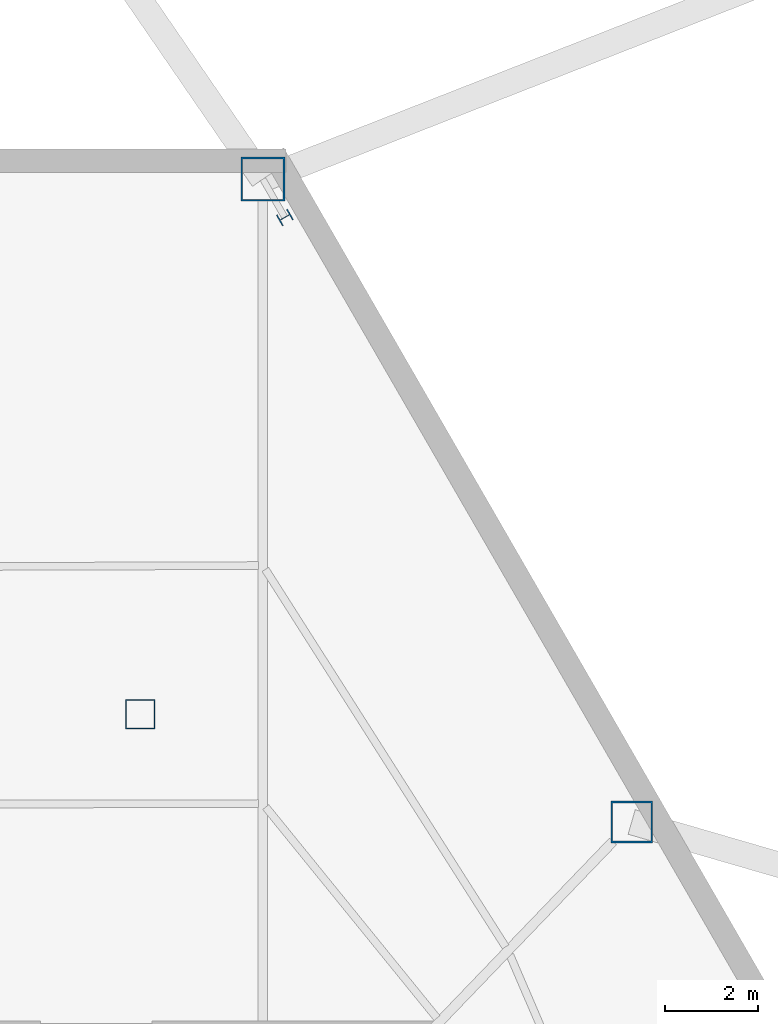
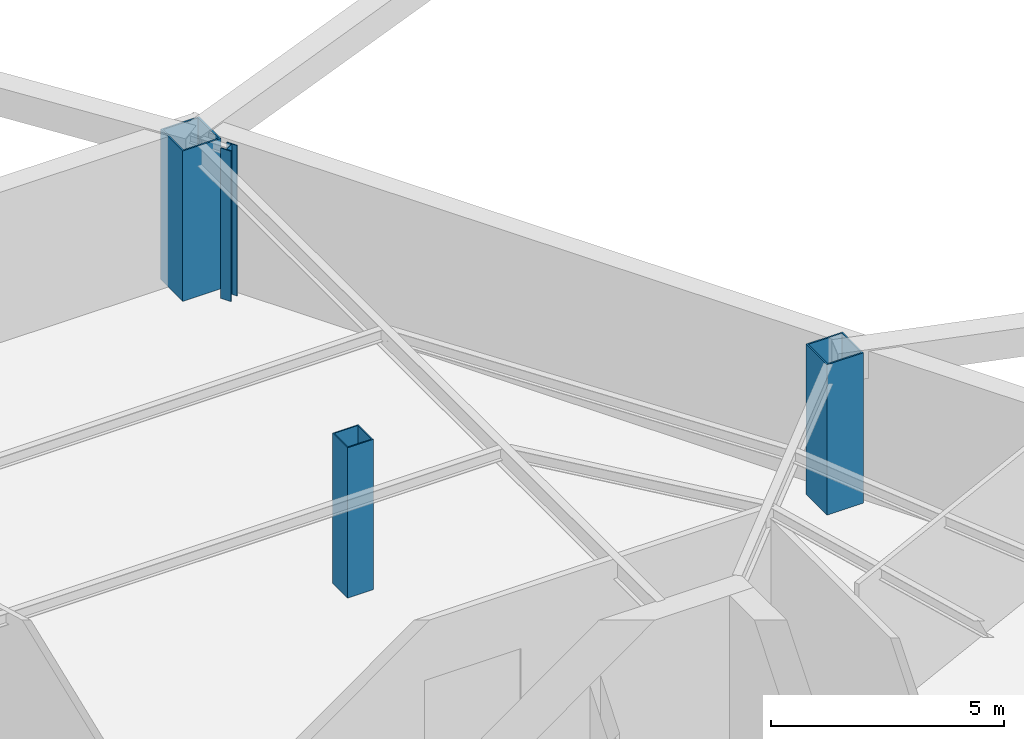
# One storey, part 4 of 8: 4 columns.
"""IFC4 building model written with IfcOpenShell, lengths in metres."""

import ifcopenshell
import ifcopenshell.guid

model = None  # the IFC model being written
_history = None  # IfcOwnerHistory: only IFC2X3 demands one
_inside = {}  # id of a spatial element -> (the spatial element, [elements in it])
_under = {}  # id of a project, library or spatial element -> (it, [spatial elements below it])
_declared = {}  # id of a project -> (the project, [libraries it declares])
_typed = {}  # id of a type object -> (the type object, [elements of that type])
_made_of = {}  # id of a material, layer set ... -> (it, [elements and type objects made of it])


def new_model(schema):
    """Start an empty IFC model of exactly this schema.

    Asked for "IFC4X3", IfcOpenShell would pick the latest addendum, in which some entities
    have other attributes; the version numbers below select the first issue.
    IFC2X3 requires an IfcOwnerHistory on every rooted entity: one is made here for all.
    """
    global model, _history
    if schema == "IFC4X3":
        model = ifcopenshell.file(schema_version=(4, 3, 0, 0))
    else:
        model = ifcopenshell.file(schema=schema)
    _inside.clear()
    _under.clear()
    _declared.clear()
    _typed.clear()
    _made_of.clear()
    _history = None
    if model.schema == "IFC2X3":
        org = make("IfcOrganization", Name="unknown")
        user = make(
            "IfcPersonAndOrganization",
            ThePerson=make("IfcPerson", FamilyName="unknown"),
            TheOrganization=org,
        )
        app = make(
            "IfcApplication",
            ApplicationDeveloper=org,
            Version="unknown",
            ApplicationFullName="unknown",
            ApplicationIdentifier="unknown",
        )
        _history = make(
            "IfcOwnerHistory",
            OwningUser=user,
            OwningApplication=app,
            ChangeAction="ADDED",
            CreationDate=0,
        )
    return model


def make(cls, **values):
    """One entity of the class cls with the attributes given. An attribute that is None is left unset."""
    return model.create_entity(
        cls, **{name: value for name, value in values.items() if value is not None}
    )


def rooted(cls, **values):
    """An entity with a GlobalId (a new one), such as an element, a storey or a relation."""
    return make(cls, GlobalId=ifcopenshell.guid.new(), OwnerHistory=_history, **values)


def si_unit(unit_type, name, prefix=None):
    """IfcSIUnit, for example si_unit("LENGTHUNIT", "METRE", prefix="MILLI")."""
    return make("IfcSIUnit", UnitType=unit_type, Prefix=prefix, Name=name)


def assignment(units):
    """IfcUnitAssignment: the units of a project."""
    return None if units is None else make("IfcUnitAssignment", Units=units)


def point(xyz):
    """IfcCartesianPoint."""
    return None if xyz is None else make("IfcCartesianPoint", Coordinates=xyz)


def direction(xyz):
    """IfcDirection."""
    return None if xyz is None else make("IfcDirection", DirectionRatios=xyz)


def frame(location, z_axis=None, x_axis=None):
    """IfcAxis2Placement3D, a coordinate frame: its origin and axes. An axis left out is left unset."""
    return make(
        "IfcAxis2Placement3D",
        Location=point(location),
        Axis=direction(z_axis),
        RefDirection=direction(x_axis),
    )


def frame_2d(location, x_axis=None):
    """IfcAxis2Placement2D, a coordinate frame in the plane: its origin and x axis."""
    return make(
        "IfcAxis2Placement2D", Location=point(location), RefDirection=direction(x_axis)
    )


def origin():
    """The frame at (0, 0, 0) with its axes left unset."""
    return frame((0.0, 0.0, 0.0))


def origin_2d():
    """The frame at (0, 0) in the plane with its x axis left unset."""
    return frame_2d((0.0, 0.0))


def place(relative_to, where):
    """IfcLocalPlacement: puts the frame where relative to a parent placement (None: the world)."""
    return make(
        "IfcLocalPlacement", PlacementRelTo=relative_to, RelativePlacement=where
    )


def context(
    kind, dimensions, precision=None, world=None, true_north=None, identifier=None
):
    """IfcGeometricRepresentationContext, for example the 3D "Model" context."""
    return make(
        "IfcGeometricRepresentationContext",
        ContextIdentifier=identifier,
        ContextType=kind,
        CoordinateSpaceDimension=dimensions,
        Precision=precision,
        WorldCoordinateSystem=world,
        TrueNorth=true_north,
    )


def subcontext(parent, identifier, kind, view, scale=None):
    """IfcGeometricRepresentationSubContext, for example "Body" below "Model"."""
    return make(
        "IfcGeometricRepresentationSubContext",
        ContextIdentifier=identifier,
        ContextType=kind,
        ParentContext=parent,
        TargetScale=scale,
        TargetView=view,
    )


def project(units=None, contexts=None):
    """IfcProject with its units and contexts."""
    return rooted(
        "IfcProject",
        Name="project",
        RepresentationContexts=contexts,
        UnitsInContext=assignment(units),
    )


def spatial(cls, under=None, at=None, **own):
    """A site, building, storey or space (cls), placed at a placement, below another one or the project."""
    s = rooted(cls, ObjectPlacement=at, **own)
    if under is not None:
        _under.setdefault(under.id(), (under, []))[1].append(s)
    return s


def profile(cls, at=None, kind="AREA", **sizes):
    """A parametric profile (cls). Its sizes go by their IFC names, for example OverallWidth=200.0."""
    return make(cls, ProfileType=kind, Position=at, **sizes)


def hollow_rectangle(**sizes):
    """IfcRectangleHollowProfileDef."""
    return profile("IfcRectangleHollowProfileDef", **sizes)


def i_section(**sizes):
    """IfcIShapeProfileDef."""
    return profile("IfcIShapeProfileDef", **sizes)


def extrude(swept, where, along, depth):
    """IfcExtrudedAreaSolid: the profile swept, set in the frame where, extruded along a direction by depth."""
    return make(
        "IfcExtrudedAreaSolid",
        SweptArea=swept,
        Position=where,
        ExtrudedDirection=direction(along),
        Depth=depth,
    )


def shape(context_of_items, identifier, shape_type, items):
    """IfcShapeRepresentation: the items that make up one representation, for example the "Body"."""
    return make(
        "IfcShapeRepresentation",
        ContextOfItems=context_of_items,
        RepresentationIdentifier=identifier,
        RepresentationType=shape_type,
        Items=items,
    )


def material(Name=None, Category=None):
    """IfcMaterial."""
    return make("IfcMaterial", Name=Name, Category=Category)


def material_profile(
    of_material, cross_section, Name=None, Category=None, Priority=None
):
    """IfcMaterialProfile: a cross section and its material."""
    return make(
        "IfcMaterialProfile",
        Name=Name,
        Material=of_material,
        Profile=cross_section,
        Priority=Priority,
        Category=Category,
    )


def profile_set(profiles, Name=None, composite=None):
    """IfcMaterialProfileSet."""
    return make(
        "IfcMaterialProfileSet",
        Name=Name,
        MaterialProfiles=profiles,
        CompositeProfile=composite,
    )


def made_of(thing, what):
    """Note that an element or type object is made of a material, layer set ...; save() writes the relation."""
    if what is not None:
        _made_of.setdefault(what.id(), (what, []))[1].append(thing)
    return thing


def type_object(cls, material=None, **own):
    """A type object (cls), such as IfcWallType, which elements share."""
    return made_of(rooted(cls, **own), material)


def element(
    cls,
    number,
    at=None,
    inside=None,
    cuts=None,
    type_object=None,
    material=None,
    context=None,
    identifier="Body",
    shape_type=None,
    held_by="IfcProductDefinitionShape",
    body=None,
    shapes=None,
    **own,
):
    """One element of the class cls, such as IfcWall. Its Tag is "e" and its number.

    at: its placement. inside: the storey or other place that contains it. cuts: it is an
    opening in that element (IfcRelVoidsElement). A single representation is given by context,
    identifier, shape_type and body (its items); several are given by shapes. held_by: the class
    of the entity that holds the representations. save() writes the other relations.
    """
    e = rooted(cls, Tag="e%d" % number, ObjectPlacement=at, **own)
    if body is not None:
        shapes = [shape(context, identifier, shape_type, body)]
    if shapes is not None:
        e.Representation = make(held_by, Representations=shapes)
    if inside is not None:
        _inside.setdefault(inside.id(), (inside, []))[1].append(e)
    if cuts is not None:
        rooted(
            "IfcRelVoidsElement", RelatingBuildingElement=cuts, RelatedOpeningElement=e
        )
    if type_object is not None:
        _typed.setdefault(type_object.id(), (type_object, []))[1].append(e)
    return made_of(e, material)


def aggregate(whole, parts):
    """IfcRelAggregates: a whole, such as a stair, and the parts it consists of."""
    return rooted("IfcRelAggregates", RelatingObject=whole, RelatedObjects=parts)


def save(model, path):
    """Write the relations noted so far, then the file.

    IfcRelAggregates (storeys below a building ...), IfcRelContainedInSpatialStructure (elements
    in a storey), IfcRelDefinesByType, IfcRelAssociatesMaterial and IfcRelDeclares: one each for
    every whole, place, type object, material and project.
    """
    for whole, parts in _under.values():
        aggregate(whole, parts)
    for where, things in _inside.values():
        rooted(
            "IfcRelContainedInSpatialStructure",
            RelatedElements=things,
            RelatingStructure=where,
        )
    for kind, things in _typed.values():
        rooted("IfcRelDefinesByType", RelatedObjects=things, RelatingType=kind)
    for what, things in _made_of.values():
        rooted("IfcRelAssociatesMaterial", RelatedObjects=things, RelatingMaterial=what)
    for by, libraries in _declared.values():
        rooted("IfcRelDeclares", RelatingContext=by, RelatedDefinitions=libraries)
    model.write(path)


model = new_model("IFC4")

# Units and contexts
model_context = context("Model", 3, precision=1e-05, world=origin(), true_north=direction((0.0, 1.0)))
body_context = subcontext(model_context, "Body", "Model", "MODEL_VIEW")
ifc_project = project(units=[si_unit("LENGTHUNIT", "METRE"), si_unit("AREAUNIT", "SQUARE_METRE"), si_unit("VOLUMEUNIT", "CUBIC_METRE"), si_unit("PLANEANGLEUNIT", "RADIAN"), si_unit("MASSUNIT", "GRAM", prefix="KILO")], contexts=[model_context])

# Site, building, storey
site_placement = place(None, origin())
site = spatial("IfcSite", under=ifc_project, at=site_placement, CompositionType="ELEMENT")
building_placement = place(site_placement, origin())
building = spatial("IfcBuilding", under=site, at=building_placement, Name="Kavelnor Concourse Tower", CompositionType="ELEMENT")
storey_placement = place(building_placement, frame((0.0, 0.0, -4.199951171875)))
storey = spatial("IfcBuildingStorey", under=building, at=storey_placement, Name="B01", CompositionType="ELEMENT", Elevation=-4.199951171875)

# Columns
ifc_material = material(Name="Steel Grade 350", Category="steel")
ifc_material_profile_1 = material_profile(ifc_material, hollow_rectangle(XDim=0.89990234375, YDim=0.89990234375, WallThickness=0.0380859375, at=origin_2d()), Name="SHS 900x900x38")
ifc_profile_set_1 = profile_set([ifc_material_profile_1], Name="Steel Grade 350")
column_type_1 = type_object("IfcColumnType", Name="COL-MEGA-900", PredefinedType="COLUMN", material=ifc_profile_set_1)
column_1_placement = place(storey_placement, frame((54.097900390625, 29.475830078125, 0.0), z_axis=(0.0, 0.0, 1.0), x_axis=(1.0, 0.0, 0.0)))
element("IfcColumn", 1, at=column_1_placement, inside=storey, type_object=column_type_1, Name="B01 Perimeter Mega Column MC-F2", PredefinedType="COLUMN", context=body_context, shape_type="SweptSolid", body=[
    extrude(hollow_rectangle(XDim=0.89990234375, YDim=0.89990234375, WallThickness=0.0380859375, at=origin_2d()), origin(), (0.0, 0.0, 1.0), 3.93994140625),
])
ifc_material_profile_2 = material_profile(ifc_material, hollow_rectangle(XDim=0.949951171875, YDim=0.949951171875, WallThickness=0.0400390625, at=origin_2d()), Name="SHS 950x950x40")
ifc_profile_set_2 = profile_set([ifc_material_profile_2], Name="Steel Grade 350")
column_type_2 = type_object("IfcColumnType", Name="COL-MEGA-950", PredefinedType="COLUMN", material=ifc_profile_set_2)
column_2_placement = place(storey_placement, frame((46.144775390625, 43.338623046875, 0.0), z_axis=(0.0, 0.0, 1.0), x_axis=(1.0, 0.0, 0.0)))
element("IfcColumn", 2, at=column_2_placement, inside=storey, type_object=column_type_2, Name="B01 Perimeter Mega Column MC-V0", PredefinedType="COLUMN", context=body_context, shape_type="SweptSolid", body=[
    extrude(hollow_rectangle(XDim=0.949951171875, YDim=0.949951171875, WallThickness=0.0400390625, at=origin_2d()), origin(), (0.0, 0.0, 1.0), 3.93994140625),
])
ifc_material_profile_3 = material_profile(ifc_material, i_section(OverallWidth=0.260986328125, OverallDepth=0.27587890625, WebThickness=0.015380859375, FlangeThickness=0.025390625, at=origin_2d()), Name="UC 254x254x132")
ifc_profile_set_3 = profile_set([ifc_material_profile_3], Name="Steel Grade 350")
column_type_3 = type_object("IfcColumnType", Name="COL-PILASTER-250", PredefinedType="PILASTER", material=ifc_profile_set_3)
column_3_placement = place(storey_placement, frame((46.617431640625, 42.5146484375, 0.0), z_axis=(0.0, 0.0, 1.0), x_axis=(-0.497579654441, 0.867418288651, 0.0)))
element("IfcColumn", 3, at=column_3_placement, inside=storey, type_object=column_type_3, Name="B01 Brick Pier Stiffener Pilaster F2-B", PredefinedType="PILASTER", context=body_context, shape_type="SweptSolid", body=[
    extrude(i_section(OverallWidth=0.260986328125, OverallDepth=0.27587890625, WebThickness=0.015380859375, FlangeThickness=0.025390625, at=origin_2d()), origin(), (0.0, 0.0, 1.0), 3.93994140625),
])
ifc_material_profile_4 = material_profile(ifc_material, hollow_rectangle(XDim=0.639892578125, YDim=0.639892578125, WallThickness=0.028076171875, at=origin_2d()), Name="SHS 640x640x28")
ifc_profile_set_4 = profile_set([ifc_material_profile_4], Name="Steel Grade 350")
column_type_4 = type_object("IfcColumnType", Name="COL-TUBE-Z3", PredefinedType="COLUMN", material=ifc_profile_set_4)
column_4_placement = place(storey_placement, frame((43.5, 31.800048828125, 0.0), z_axis=(0.0, 0.0, 1.0), x_axis=(1.0, 0.0, 0.0)))
element("IfcColumn", 4, at=column_4_placement, inside=storey, type_object=column_type_4, Name="B01 Interior Column BC-NE", PredefinedType="COLUMN", context=body_context, shape_type="SweptSolid", body=[
    extrude(hollow_rectangle(XDim=0.639892578125, YDim=0.639892578125, WallThickness=0.028076171875, at=origin_2d()), origin(), (0.0, 0.0, 1.0), 3.93994140625),
])

save(model, "model.ifc")
